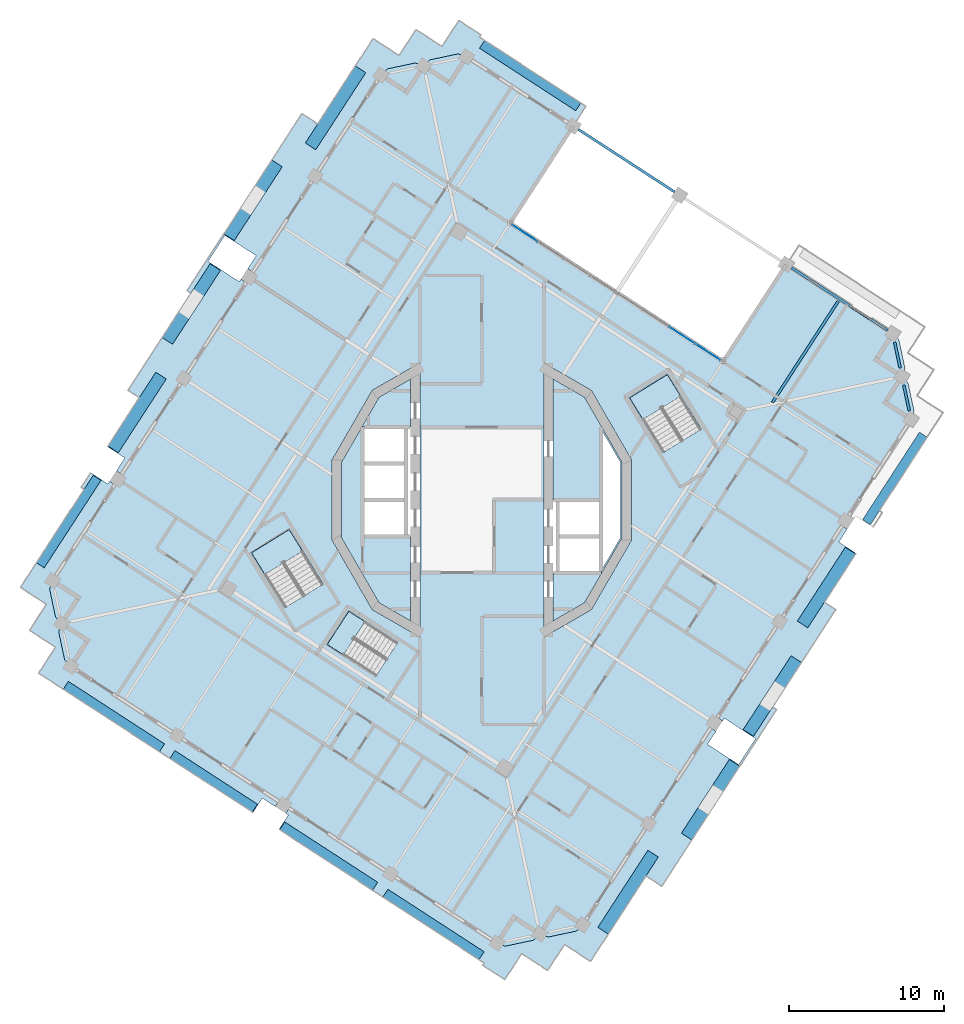
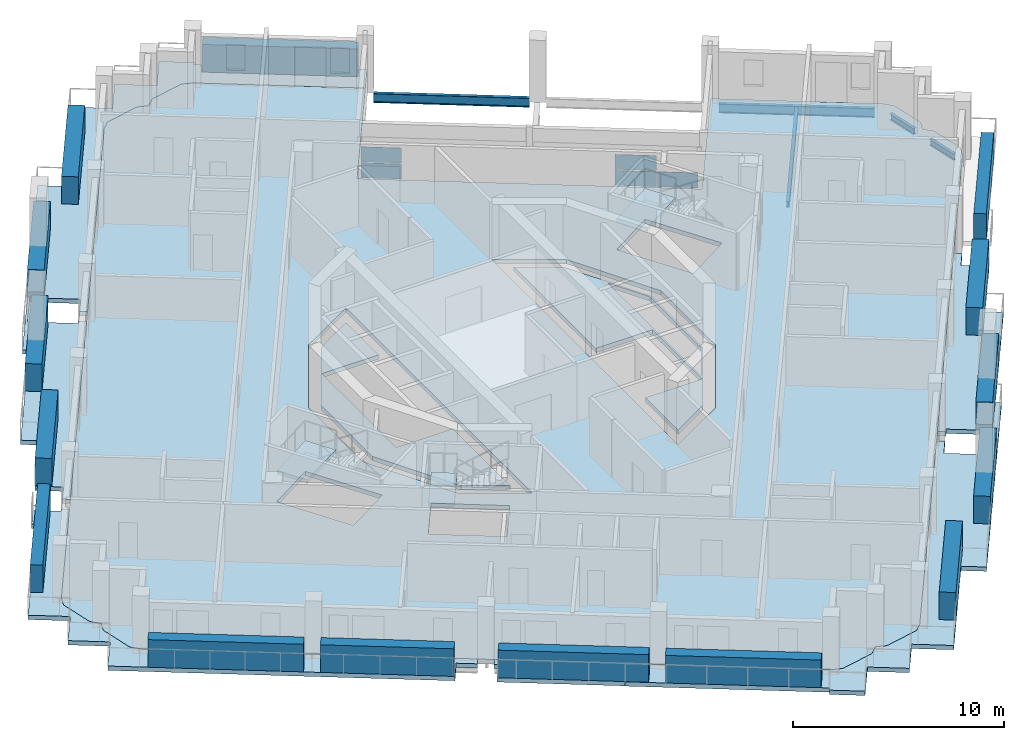
# One storey, part 4 of 17: 20 plates, 9 slabs, 5 beams, 4 elements without a shape of their own.
"""IFC4 building model written with IfcOpenShell, lengths in metres."""

from ifc_helpers import new_model, si_unit, direction, frame, origin, origin_2d, place, context, subcontext, project, spatial, polyline, rectangle, i_section, outline, extrude, material, layer, layer_set, material_profile, profile_set, type_object, element, aggregate, save


model = new_model("IFC4")

# Units and contexts
model_context = context("Model", 3, precision=1e-05, world=origin(), true_north=direction((0.0, 1.0)))
body_context = subcontext(model_context, "Body", "Model", "MODEL_VIEW")
ifc_project = project(units=[si_unit("LENGTHUNIT", "METRE"), si_unit("AREAUNIT", "SQUARE_METRE"), si_unit("VOLUMEUNIT", "CUBIC_METRE"), si_unit("PLANEANGLEUNIT", "RADIAN"), si_unit("MASSUNIT", "GRAM", prefix="KILO")], contexts=[model_context])

# Site, building, storey
site_placement = place(None, origin())
site = spatial("IfcSite", under=ifc_project, at=site_placement, CompositionType="ELEMENT")
building_placement = place(site_placement, origin())
building = spatial("IfcBuilding", under=site, at=building_placement, Name="Cantera Rosa Tower", CompositionType="ELEMENT")
storey_placement = place(building_placement, frame((0.0, 0.0, 275.699951171875)))
storey = spatial("IfcBuildingStorey", under=building, at=storey_placement, Name="L62", CompositionType="ELEMENT", Elevation=275.699951171875)

# Beams
ifc_material_1 = material(Name="Steel ASTM A992 (Fy 345 MPa)", Category="steel")
ifc_material_profile_1 = material_profile(ifc_material_1, i_section(OverallWidth=0.1708984375, OverallDepth=0.35595703125, WebThickness=0.00732421875, FlangeThickness=0.01171875, FilletRadius=0.010009765625, at=origin_2d()), Name="W360X51")
ifc_profile_set_1 = profile_set([ifc_material_profile_1], Name="Steel ASTM A992 (Fy 345 MPa)")
beam_type_1 = type_object("IfcBeamType", Name="STEEL JOIST W360X51", PredefinedType="JOIST", material=ifc_profile_set_1)
beam_placement = place(storey_placement, frame((23.005859375, 12.842041015625, -0.427978515625), z_axis=(-0.544641754757, -0.838668801718, 0.0), x_axis=(0.838668801718, -0.544641754757, 0.0)))
element("IfcBeam", 1, at=beam_placement, inside=storey, type_object=beam_type_1, Name="B-Z5-01 L62", PredefinedType="JOIST", context=body_context, shape_type="SweptSolid", body=[
    extrude(i_section(OverallWidth=0.1708984375, OverallDepth=0.35595703125, WebThickness=0.00732421875, FlangeThickness=0.01171875, FilletRadius=0.010009765625, at=origin_2d()), origin(), (0.0, 0.0, 1.0), 7.800048828125),
])
ifc_material_2 = material(Name="Steel ASTM A992 (Fy 345 MPa)", Category="steel")
ifc_material_profile_2 = material_profile(ifc_material_2, i_section(OverallWidth=0.1708984375, OverallDepth=0.35595703125, WebThickness=0.00732421875, FlangeThickness=0.01171875, FilletRadius=0.010009765625, at=origin_2d()), Name="W360X51")
ifc_profile_set_2 = profile_set([ifc_material_profile_2], Name="Steel ASTM A992 (Fy 345 MPa)")
beam_type_2 = type_object("IfcBeamType", Name="STEEL SPANDREL BEAM W360X51", PredefinedType="SPANDREL", material=ifc_profile_set_2)
for number, where, z_axis, x_axis, name in (
    (2, (27.58447265625, 5.7548828125, -0.427978515625), (-0.207888006632, 0.978152634663, 0.0), (-0.978152634663, -0.207888006632, 0.0), "EB-Z5-25 L62"),
    (3, (26.996337890625, 8.521484375, -0.427978515625), (-0.207888006632, 0.978152634663, 0.0), (-0.978152634663, -0.207888006632, 0.0), "EB-Z5-26 L62"),
):
    element("IfcBeam", number, at=place(storey_placement, frame(where, z_axis=z_axis, x_axis=x_axis)), inside=storey, type_object=beam_type_2, Name=name, PredefinedType="SPANDREL", context=body_context, shape_type="SweptSolid", body=[
        extrude(i_section(OverallWidth=0.1708984375, OverallDepth=0.35595703125, WebThickness=0.00732421875, FlangeThickness=0.01171875, FilletRadius=0.010009765625, at=origin_2d()), origin(), (0.0, 0.0, 1.0), 1.697021484375),
    ])
ifc_material_3 = material(Name="Steel ASTM A992 (Fy 345 MPa)", Category="steel")
ifc_material_profile_3 = material_profile(ifc_material_3, i_section(OverallWidth=0.166015625, OverallDepth=0.528076171875, WebThickness=0.009765625, FlangeThickness=0.013671875, FilletRadius=0.0126953125, at=origin_2d()), Name="W530X74")
ifc_profile_set_3 = profile_set([ifc_material_profile_3], Name="Steel ASTM A992 (Fy 345 MPa)")
beam_type_3 = type_object("IfcBeamType", Name="STEEL SPANDREL BEAM W530X74", PredefinedType="SPANDREL", material=ifc_profile_set_3)
for number, where, z_axis, x_axis, name in (
    (4, (26.1904296875, 10.95263671875, -0.513916015625), (-0.838669679097, 0.544640403719, 0.0), (-0.544640403719, -0.838669679097, 0.0), "EB-Z5-01 L62"),
    (5, (12.436279296875, 19.884765625, -0.513916015625), (-0.838669679097, 0.544640403719, 0.0), (-0.544640403719, -0.838669679097, 0.0), "EB-Z5-03 L62"),
):
    element("IfcBeam", number, at=place(storey_placement, frame(where, z_axis=z_axis, x_axis=x_axis)), inside=storey, type_object=beam_type_3, Name=name, PredefinedType="SPANDREL", context=body_context, shape_type="SweptSolid", body=[
        extrude(i_section(OverallWidth=0.166015625, OverallDepth=0.528076171875, WebThickness=0.009765625, FlangeThickness=0.013671875, FilletRadius=0.0126953125, at=origin_2d()), origin(), (0.0, 0.0, 1.0), 7.39990234375),
    ])

# Slabs
ifc_material_4 = material(Name="Concrete C35/45", Category="concrete")
ifc_layer_1 = layer(ifc_material_4, 0.25)
ifc_layer_set_1 = layer_set([ifc_layer_1], Name="COMPOSITE FLOOR SLAB 250 C35/45")
slab_type_1 = type_object("IfcSlabType", Name="COMPOSITE FLOOR SLAB 250 C35/45", PredefinedType="FLOOR", material=ifc_layer_set_1)
slab_1_placement = place(storey_placement, frame((0.0, 0.0, -0.25)))
element("IfcSlab", 6, at=slab_1_placement, inside=storey, type_object=slab_type_1, Name="SLAB L62 floor 1", PredefinedType="FLOOR", context=body_context, shape_type="SweptSolid", body=[
    extrude(outline(polyline([(-4.60009765625, -2.35009765625), (-4.60009765625, -7.804931640625), (-6.6318359375, -6.6318359375), (-9.059326171875, -2.427490234375), (-9.059326171875, 2.427490234375), (-6.6318359375, 6.6318359375), (-4.60009765625, 7.804931640625), (-4.60009765625, 4.699951171875), (-7.699951171875, 4.699951171875), (-7.699951171875, 2.35009765625), (-7.699951171875, 0.0), (-7.699951171875, -2.35009765625), (-4.60009765625, -2.35009765625)])), origin(), (0.0, 0.0, 1.0), 0.25),
])
slab_2_placement = place(storey_placement, frame((0.0, 0.0, -0.25)))
element("IfcSlab", 7, at=slab_2_placement, inside=storey, type_object=slab_type_1, Name="SLAB L62 floor 2", PredefinedType="FLOOR", context=body_context, shape_type="SweptSolid", body=[
    extrude(outline(polyline([(0.982421875, -28.598876953125), (0.106689453125, -28.030029296875), (-25.650146484375, -11.303466796875), (-26.52587890625, -10.734619140625), (-26.852783203125, -10.396240234375), (-26.873046875, -10.374755859375), (-26.890869140625, -10.351318359375), (-26.90625, -10.326416015625), (-26.919189453125, -10.2998046875), (-26.929443359375, -10.272216796875), (-26.93701171875, -10.243896484375), (-27.289794921875, -8.583740234375), (-27.294677734375, -8.5546875), (-27.29638671875, -8.525390625), (-27.29541015625, -8.49609375), (-27.29150390625, -8.466796875), (-27.28466796875, -8.43798828125), (-27.275146484375, -8.410400390625), (-27.114013671875, -7.968017578125), (-27.44091796875, -7.629638671875), (-27.461181640625, -7.608154296875), (-27.47900390625, -7.584716796875), (-27.494384765625, -7.559814453125), (-27.50732421875, -7.533203125), (-27.517578125, -7.505615234375), (-27.525146484375, -7.477294921875), (-27.8779296875, -5.817138671875), (-27.882568359375, -5.7880859375), (-27.884521484375, -5.7587890625), (-27.88330078125, -5.729248046875), (-27.87939453125, -5.7001953125), (-27.872802734375, -5.67138671875), (-27.863037109375, -5.643798828125), (-27.7021484375, -5.201416015625), (-27.13330078125, -4.32568359375), (-7.08447265625, 26.547119140625), (-6.515625, 27.4228515625), (-6.17724609375, 27.749755859375), (-6.15576171875, 27.769775390625), (-6.132080078125, 27.78759765625), (-6.107177734375, 27.802978515625), (-6.080810546875, 27.81591796875), (-6.05322265625, 27.826416015625), (-6.024658203125, 27.833740234375), (-4.36474609375, 28.186767578125), (-4.335693359375, 28.19140625), (-4.306396484375, 28.193115234375), (-4.27685546875, 28.192138671875), (-4.247802734375, 28.188232421875), (-4.218994140625, 28.181396484375), (-4.191162109375, 28.171875), (-3.7490234375, 28.0107421875), (-3.41064453125, 28.337890625), (-3.388916015625, 28.35791015625), (-3.365478515625, 28.375732421875), (-3.340576171875, 28.39111328125), (-3.314208984375, 28.404052734375), (-3.28662109375, 28.414306640625), (-3.258056640625, 28.421875), (-1.59814453125, 28.774658203125), (-1.569091796875, 28.779296875), (-1.539794921875, 28.78125), (-1.51025390625, 28.7802734375), (-1.481201171875, 28.7763671875), (-1.452392578125, 28.76953125), (-1.424560546875, 28.760009765625), (-0.982421875, 28.598876953125), (-0.106689453125, 28.030029296875), (5.894775390625, 24.1328125), (1.809814453125, 17.8427734375), (15.564208984375, 8.910888671875), (19.64892578125, 15.20068359375), (25.650146484375, 11.303466796875), (26.52587890625, 10.734619140625), (26.852783203125, 10.396240234375), (26.873046875, 10.374755859375), (26.890869140625, 10.351318359375), (26.90625, 10.326416015625), (26.919189453125, 10.2998046875), (26.929443359375, 10.272216796875), (26.93701171875, 10.243896484375), (27.289794921875, 8.583740234375), (27.294677734375, 8.5546875), (27.29638671875, 8.525390625), (27.29541015625, 8.49609375), (27.29150390625, 8.466796875), (27.28466796875, 8.43798828125), (27.275146484375, 8.410400390625), (27.114013671875, 7.968017578125), (27.44091796875, 7.629638671875), (27.461181640625, 7.608154296875), (27.47900390625, 7.584716796875), (27.494384765625, 7.559814453125), (27.50732421875, 7.533203125), (27.517578125, 7.505615234375), (27.525146484375, 7.477294921875), (27.8779296875, 5.817138671875), (27.882568359375, 5.7880859375), (27.884521484375, 5.7587890625), (27.88330078125, 5.729248046875), (27.87939453125, 5.7001953125), (27.872802734375, 5.67138671875), (27.863037109375, 5.643798828125), (27.7021484375, 5.201416015625), (27.13330078125, 4.32568359375), (7.08447265625, -26.547119140625), (6.515625, -27.4228515625), (6.17724609375, -27.749755859375), (6.15576171875, -27.769775390625), (6.132080078125, -27.78759765625), (6.107177734375, -27.802978515625), (6.080810546875, -27.81591796875), (6.05322265625, -27.826416015625), (6.024658203125, -27.833740234375), (4.36474609375, -28.186767578125), (4.335693359375, -28.19140625), (4.306396484375, -28.193115234375), (4.27685546875, -28.192138671875), (4.247802734375, -28.188232421875), (4.218994140625, -28.181396484375), (4.191162109375, -28.171875), (3.7490234375, -28.0107421875), (3.41064453125, -28.337890625), (3.388916015625, -28.35791015625), (3.365478515625, -28.375732421875), (3.340576171875, -28.39111328125), (3.314208984375, -28.404052734375), (3.28662109375, -28.414306640625), (3.258056640625, -28.421875), (1.59814453125, -28.774658203125), (1.569091796875, -28.779296875), (1.539794921875, -28.78125), (1.51025390625, -28.7802734375), (1.481201171875, -28.7763671875), (1.452392578125, -28.76953125), (1.424560546875, -28.760009765625), (0.982421875, -28.598876953125)]), holes=[polyline([(-8.581298828125, -7.1826171875), (-9.97021484375, -9.3212890625), (-6.835205078125, -11.357177734375), (-5.4462890625, -9.218505859375), (-8.581298828125, -7.1826171875)]), polyline([(-10.258544921875, -5.433349609375), (-12.430908203125, -1.911376953125), (-14.8564453125, -3.407470703125), (-12.68408203125, -6.929443359375), (-10.258544921875, -5.433349609375)]), polyline([(-9.6591796875, 2.588134765625), (-9.6591796875, -2.588134765625), (-7.071044921875, -7.071044921875), (-4.0, -8.843994140625), (-4.0, 8.843994140625), (-7.071044921875, 7.071044921875), (-9.6591796875, 2.588134765625)]), polyline([(7.071044921875, -7.071044921875), (9.6591796875, -2.588134765625), (9.6591796875, 2.588134765625), (7.071044921875, 7.071044921875), (4.0, 8.843994140625), (4.0, -8.843994140625), (7.071044921875, -7.071044921875)]), polyline([(14.1416015625, 4.566650390625), (11.96923828125, 8.088623046875), (9.54345703125, 6.592529296875), (11.7158203125, 3.070556640625), (14.1416015625, 4.566650390625)])]), origin(), (0.0, 0.0, 1.0), 0.25),
])
slab_3_placement = place(storey_placement, frame((0.0, 0.0, -0.25)))
element("IfcSlab", 8, at=slab_3_placement, inside=storey, type_object=slab_type_1, Name="SLAB L62 floor 3", PredefinedType="FLOOR", context=body_context, shape_type="SweptSolid", body=[
    extrude(outline(polyline([(7.699951171875, -2.35009765625), (7.699951171875, 0.0), (4.60009765625, 0.0), (4.60009765625, 7.804931640625), (6.6318359375, 6.6318359375), (9.059326171875, 2.427490234375), (9.059326171875, -2.427490234375), (6.6318359375, -6.6318359375), (4.60009765625, -7.804931640625), (4.60009765625, -4.699951171875), (7.699951171875, -4.699951171875), (7.699951171875, -2.35009765625)]), holes=[polyline([(7.800048828125, 2.449951171875), (7.800048828125, 2.25), (7.800048828125, -2.25), (7.800048828125, -2.449951171875), (7.800048828125, -4.408447265625), (8.959228515625, -2.400634765625), (8.959228515625, 2.400634765625), (7.800048828125, 4.408447265625), (7.800048828125, 2.449951171875)])]), origin(), (0.0, 0.0, 1.0), 0.25),
])

# Curtain wall, plates
ifc_material_5 = material(Name="Aluminium frame with clear glass", Category="aluminium")
curtain_wall_type = type_object("IfcCurtainWallType", Name="CW1 TERRACE POCKET GLAZING", PredefinedType="NOTDEFINED", material=ifc_material_5)
curtain_wall_placement = place(storey_placement, origin())
curtain_wall = element("IfcCurtainWall", 9, at=curtain_wall_placement, inside=storey, type_object=curtain_wall_type, Name="CW1 CW1", PredefinedType="NOTDEFINED")
ifc_material_6 = material(Name="Aluminium frame with clear glass", Category="aluminium")
ifc_layer_2 = layer(ifc_material_6, 0.028076171875)
ifc_layer_set_2 = layer_set([ifc_layer_2], Name="CW-PANEL POCKET")
plate_type_1 = type_object("IfcPlateType", Name="CW-PANEL POCKET", PredefinedType="CURTAIN_PANEL", material=ifc_layer_set_2)
plate_1_placement = place(storey_placement, frame((14.60009765625, 9.536865234375, 0.06005859375), z_axis=(0.0, 0.0, 1.0), x_axis=(-0.838670567974, 0.544639034971, 0.0)))
plate_1 = element("IfcPlate", 10, at=plate_1_placement, type_object=plate_type_1, Name="CW1 panel 1.1", PredefinedType="CURTAIN_PANEL", context=body_context, shape_type="SweptSolid", body=[
    extrude(rectangle(XDim=1.9287109375, YDim=0.028076171875, at=origin_2d()), origin(), (0.0, 0.0, 1.0), 0.865966796875),
])
plate_2_placement = place(storey_placement, frame((12.919677734375, 10.628173828125, 0.06005859375), z_axis=(0.0, 0.0, 1.0), x_axis=(-0.838670567974, 0.544639034971, 0.0)))
plate_2 = element("IfcPlate", 11, at=plate_2_placement, type_object=plate_type_1, Name="CW1 panel 2.1", PredefinedType="CURTAIN_PANEL", context=body_context, shape_type="SweptSolid", body=[
    extrude(rectangle(XDim=1.958740234375, YDim=0.028076171875, at=origin_2d()), origin(), (0.0, 0.0, 1.0), 0.865966796875),
])
plate_3_placement = place(storey_placement, frame((12.919677734375, 10.628173828125, 0.98583984375), z_axis=(0.0, 0.0, 1.0), x_axis=(-0.838670567974, 0.544639034971, 0.0)))
plate_3 = element("IfcPlate", 12, at=plate_3_placement, type_object=plate_type_1, Name="CW1 panel 2.2", PredefinedType="CURTAIN_PANEL", context=body_context, shape_type="SweptSolid", body=[
    extrude(rectangle(XDim=1.958740234375, YDim=0.028076171875, at=origin_2d()), origin(), (0.0, 0.0, 1.0), 0.865966796875),
])
plate_4_placement = place(storey_placement, frame((2.77392578125, 17.216796875, 0.06005859375), z_axis=(0.0, 0.0, 1.0), x_axis=(-0.838670567974, 0.544639034971, 0.0)))
plate_4 = element("IfcPlate", 13, at=plate_4_placement, type_object=plate_type_1, Name="CW1 panel 8.1", PredefinedType="CURTAIN_PANEL", context=body_context, shape_type="SweptSolid", body=[
    extrude(rectangle(XDim=1.9287109375, YDim=0.028076171875, at=origin_2d()), origin(), (0.0, 0.0, 1.0), 0.865966796875),
])
plate_5_placement = place(storey_placement, frame((2.77392578125, 17.216796875, 0.98583984375), z_axis=(0.0, 0.0, 1.0), x_axis=(-0.838670567974, 0.544639034971, 0.0)))
plate_5 = element("IfcPlate", 14, at=plate_5_placement, type_object=plate_type_1, Name="CW1 panel 8.2", PredefinedType="CURTAIN_PANEL", context=body_context, shape_type="SweptSolid", body=[
    extrude(rectangle(XDim=1.9287109375, YDim=0.028076171875, at=origin_2d()), origin(), (0.0, 0.0, 1.0), 0.865966796875),
])
aggregate(curtain_wall, [plate_1, plate_2, plate_3, plate_4, plate_5])

# Slabs
ifc_material_7 = material(Name="Concrete C35/45", Category="concrete")
ifc_layer_3 = layer(ifc_material_7, 0.25)
ifc_layer_set_3 = layer_set([ifc_layer_3], Name="LOGGIA SLAB 250 C35/45")
slab_type_2 = type_object("IfcSlabType", Name="LOGGIA SLAB 250 C35/45", PredefinedType="FLOOR", material=ifc_layer_set_3)
slab_4_placement = place(storey_placement, frame((0.0, 0.0, -0.25)))
element("IfcSlab", 15, at=slab_4_placement, inside=storey, type_object=slab_type_2, Name="LOGGIA SLAB L62 1", PredefinedType="FLOOR", context=body_context, shape_type="SweptSolid", body=[
    extrude(outline(polyline([(-21.723876953125, -15.641845703125), (-27.343017578125, -11.992919921875), (-28.600830078125, -11.17578125), (-27.783935546875, -9.917724609375), (-27.51171875, -9.49853515625), (-27.930908203125, -9.22607421875), (-29.18896484375, -8.4091796875), (-28.3720703125, -7.151123046875), (-28.099609375, -6.731689453125), (-28.51904296875, -6.45947265625), (-29.777099609375, -5.642578125), (-28.960205078125, -4.384521484375), (-25.66650390625, 0.68701171875), (-25.86181640625, 0.813720703125), (-25.244873046875, 1.763916015625), (-24.127197265625, 1.0380859375), (-24.01806640625, 1.205810546875), (-23.6826171875, 0.98779296875), (-27.13330078125, -4.32568359375), (-27.7021484375, -5.201416015625), (-27.863037109375, -5.643798828125), (-27.872802734375, -5.67138671875), (-27.87939453125, -5.7001953125), (-27.88330078125, -5.729248046875), (-27.884521484375, -5.7587890625), (-27.882568359375, -5.7880859375), (-27.8779296875, -5.817138671875), (-27.525146484375, -7.477294921875), (-27.517578125, -7.505615234375), (-27.50732421875, -7.533203125), (-27.494384765625, -7.559814453125), (-27.47900390625, -7.584716796875), (-27.461181640625, -7.608154296875), (-27.44091796875, -7.629638671875), (-27.114013671875, -7.968017578125), (-27.275146484375, -8.410400390625), (-27.28466796875, -8.43798828125), (-27.29150390625, -8.466796875), (-27.29541015625, -8.49609375), (-27.29638671875, -8.525390625), (-27.294677734375, -8.5546875), (-27.289794921875, -8.583740234375), (-26.93701171875, -10.243896484375), (-26.929443359375, -10.272216796875), (-26.919189453125, -10.2998046875), (-26.90625, -10.326416015625), (-26.890869140625, -10.351318359375), (-26.873046875, -10.374755859375), (-26.852783203125, -10.396240234375), (-26.52587890625, -10.734619140625), (-25.650146484375, -11.303466796875), (-13.107421875, -19.448974609375), (-13.3251953125, -19.784423828125), (-14.163818359375, -19.23974609375), (-14.762939453125, -20.162353515625), (-14.8466796875, -20.10791015625), (-19.207763671875, -17.275634765625), (-21.723876953125, -15.641845703125)])), origin(), (0.0, 0.0, 1.0), 0.25),
])
slab_5_placement = place(storey_placement, frame((0.0, 0.0, -0.25)))
element("IfcSlab", 16, at=slab_5_placement, inside=storey, type_object=slab_type_2, Name="LOGGIA SLAB L62 2", PredefinedType="FLOOR", context=body_context, shape_type="SweptSolid", body=[
    extrude(outline(polyline([(-18.7705078125, 13.3505859375), (-19.0244140625, 13.515625), (-11.6103515625, 24.931884765625), (-10.59033203125, 24.26953125), (-7.94140625, 28.3486328125), (-7.015380859375, 29.7744140625), (-5.58984375, 28.848388671875), (-5.338134765625, 28.68505859375), (-5.1748046875, 28.936767578125), (-4.248779296875, 30.362548828125), (-2.822998046875, 29.4365234375), (-2.571533203125, 29.273193359375), (-1.482421875, 30.950439453125), (-0.056396484375, 30.024658203125), (-0.155029296875, 29.873046875), (6.72216796875, 25.406982421875), (5.894775390625, 24.1328125), (-0.106689453125, 28.030029296875), (-0.982421875, 28.598876953125), (-1.424560546875, 28.760009765625), (-1.452392578125, 28.76953125), (-1.481201171875, 28.7763671875), (-1.51025390625, 28.7802734375), (-1.539794921875, 28.78125), (-1.569091796875, 28.779296875), (-1.59814453125, 28.774658203125), (-3.258056640625, 28.421875), (-3.28662109375, 28.414306640625), (-3.314208984375, 28.404052734375), (-3.340576171875, 28.39111328125), (-3.365478515625, 28.375732421875), (-3.388916015625, 28.35791015625), (-3.41064453125, 28.337890625), (-3.7490234375, 28.0107421875), (-4.191162109375, 28.171875), (-4.218994140625, 28.181396484375), (-4.247802734375, 28.188232421875), (-4.27685546875, 28.192138671875), (-4.306396484375, 28.193115234375), (-4.335693359375, 28.19140625), (-4.36474609375, 28.186767578125), (-6.024658203125, 27.833740234375), (-6.05322265625, 27.826416015625), (-6.080810546875, 27.81591796875), (-6.107177734375, 27.802978515625), (-6.132080078125, 27.78759765625), (-6.15576171875, 27.769775390625), (-6.17724609375, 27.749755859375), (-6.515625, 27.4228515625), (-7.08447265625, 26.547119140625), (-14.7724609375, 14.70849609375), (-15.10791015625, 14.926513671875), (-14.563232421875, 15.76513671875), (-16.575927734375, 17.072265625), (-17.665283203125, 15.39501953125), (-15.652587890625, 14.087646484375), (-15.543701171875, 14.255615234375), (-15.2080078125, 14.03759765625), (-23.2470703125, 1.65869140625), (-23.58251953125, 1.876708984375), (-23.037841796875, 2.71533203125), (-24.155517578125, 3.44140625), (-22.104248046875, 6.60009765625), (-22.8427734375, 7.079833984375), (-18.7705078125, 13.3505859375)])), origin(), (0.0, 0.0, 1.0), 0.25),
])
slab_6_placement = place(storey_placement, frame((0.0, 0.0, -0.25)))
element("IfcSlab", 17, at=slab_6_placement, inside=storey, type_object=slab_type_2, Name="LOGGIA SLAB L62 3", PredefinedType="FLOOR", context=body_context, shape_type="SweptSolid", body=[
    extrude(outline(polyline([(7.94140625, -28.3486328125), (7.015380859375, -29.7744140625), (5.58984375, -28.848388671875), (5.338134765625, -28.68505859375), (5.1748046875, -28.936767578125), (4.248779296875, -30.362548828125), (2.822998046875, -29.4365234375), (2.571533203125, -29.273193359375), (1.482421875, -30.950439453125), (0.056396484375, -30.024658203125), (0.155029296875, -29.873046875), (-7.996337890625, -24.57958984375), (-7.98583984375, -24.5634765625), (-12.330810546875, -21.74169921875), (-13.08544921875, -21.251708984375), (-12.486328125, -20.3291015625), (-12.654296875, -20.22021484375), (-12.436279296875, -19.884765625), (0.106689453125, -28.030029296875), (0.982421875, -28.598876953125), (1.424560546875, -28.760009765625), (1.452392578125, -28.76953125), (1.481201171875, -28.7763671875), (1.51025390625, -28.7802734375), (1.539794921875, -28.78125), (1.569091796875, -28.779296875), (1.59814453125, -28.774658203125), (3.258056640625, -28.421875), (3.28662109375, -28.414306640625), (3.314208984375, -28.404052734375), (3.340576171875, -28.39111328125), (3.365478515625, -28.375732421875), (3.388916015625, -28.35791015625), (3.41064453125, -28.337890625), (3.7490234375, -28.0107421875), (4.191162109375, -28.171875), (4.218994140625, -28.181396484375), (4.247802734375, -28.188232421875), (4.27685546875, -28.192138671875), (4.306396484375, -28.193115234375), (4.335693359375, -28.19140625), (4.36474609375, -28.186767578125), (6.024658203125, -27.833740234375), (6.05322265625, -27.826416015625), (6.080810546875, -27.81591796875), (6.107177734375, -27.802978515625), (6.132080078125, -27.78759765625), (6.15576171875, -27.769775390625), (6.17724609375, -27.749755859375), (6.515625, -27.4228515625), (7.08447265625, -26.547119140625), (14.7724609375, -14.70849609375), (15.10791015625, -14.926513671875), (14.563232421875, -15.76513671875), (16.575927734375, -17.072265625), (17.665283203125, -15.39501953125), (15.652587890625, -14.087646484375), (15.543701171875, -14.255615234375), (15.2080078125, -14.03759765625), (23.2470703125, -1.65869140625), (23.58251953125, -1.876708984375), (23.037841796875, -2.71533203125), (24.155517578125, -3.44140625), (22.104248046875, -6.60009765625), (22.8427734375, -7.079833984375), (18.7705078125, -13.3505859375), (19.0244140625, -13.515625), (11.6103515625, -24.931884765625), (10.59033203125, -24.26953125), (7.94140625, -28.3486328125)])), origin(), (0.0, 0.0, 1.0), 0.25),
])

# Plates
ifc_material_8 = material(Name="Cantera stone planter with soil", Category="masonry")
plate_type_2 = type_object("IfcPlateType", Name="PLANTER 600", PredefinedType="USERDEFINED", material=ifc_material_8)
plate_6_placement = place(storey_placement, frame((3.1201171875, 27.388427734375, 0.0), z_axis=(0.0, 0.0, 1.0), x_axis=(-0.838670567945, 0.544639035015, 0.0)))
element("IfcPlate", 18, at=plate_6_placement, inside=storey, type_object=plate_type_2, Name="PLANTER L62-04", ObjectType="PLANTER", PredefinedType="USERDEFINED", context=body_context, shape_type="SweptSolid", body=[
    extrude(rectangle(XDim=7.39990234375, YDim=0.60009765625, at=origin_2d()), origin(), (0.0, 0.0, 1.0), 1.60009765625),
])
plate_7_placement = place(storey_placement, frame((-26.657958984375, -1.390380859375, 0.0), z_axis=(0.0, 0.0, 1.0), x_axis=(-0.544639035015, -0.838670567945, 0.0)))
element("IfcPlate", 19, at=plate_7_placement, inside=storey, type_object=plate_type_2, Name="PLANTER L62-09", ObjectType="PLANTER", PredefinedType="USERDEFINED", context=body_context, shape_type="SweptSolid", body=[
    extrude(rectangle(XDim=6.72998046875, YDim=0.60009765625, at=origin_2d()), origin(), (0.0, 0.0, 1.0), 1.60009765625),
])
plate_8_placement = place(storey_placement, frame((-23.740966796875, -13.97412109375, 0.0), z_axis=(0.0, 0.0, 1.0), x_axis=(0.838670567945, -0.544639035015, 0.0)))
element("IfcPlate", 20, at=plate_8_placement, inside=storey, type_object=plate_type_2, Name="PLANTER L62-10", ObjectType="PLANTER", PredefinedType="USERDEFINED", context=body_context, shape_type="SweptSolid", body=[
    extrude(rectangle(XDim=7.39990234375, YDim=0.60009765625, at=origin_2d()), origin(), (0.0, 0.0, 1.0), 1.60009765625),
])
plate_9_placement = place(storey_placement, frame((-17.30419921875, -18.154296875, 0.0), z_axis=(0.0, 0.0, 1.0), x_axis=(0.838670567945, -0.544639035015, 0.0)))
element("IfcPlate", 21, at=plate_9_placement, inside=storey, type_object=plate_type_2, Name="PLANTER L62-11", ObjectType="PLANTER", PredefinedType="USERDEFINED", context=body_context, shape_type="SweptSolid", body=[
    extrude(rectangle(XDim=6.35009765625, YDim=0.60009765625, at=origin_2d()), origin(), (0.0, 0.0, 1.0), 1.60009765625),
])
plate_10_placement = place(storey_placement, frame((-9.882080078125, -22.974365234375, 0.0), z_axis=(0.0, 0.0, 1.0), x_axis=(0.838670567945, -0.544639035015, 0.0)))
element("IfcPlate", 22, at=plate_10_placement, inside=storey, type_object=plate_type_2, Name="PLANTER L62-12", ObjectType="PLANTER", PredefinedType="USERDEFINED", context=body_context, shape_type="SweptSolid", body=[
    extrude(rectangle(XDim=7.14990234375, YDim=0.60009765625, at=origin_2d()), origin(), (0.0, 0.0, 1.0), 1.60009765625),
])
plate_11_placement = place(storey_placement, frame((-3.1201171875, -27.388427734375, 0.0), z_axis=(0.0, 0.0, 1.0), x_axis=(0.838670567945, -0.544639035015, 0.0)))
element("IfcPlate", 23, at=plate_11_placement, inside=storey, type_object=plate_type_2, Name="PLANTER L62-13", ObjectType="PLANTER", PredefinedType="USERDEFINED", context=body_context, shape_type="SweptSolid", body=[
    extrude(rectangle(XDim=7.39990234375, YDim=0.60009765625, at=origin_2d()), origin(), (0.0, 0.0, 1.0), 1.60009765625),
])
plate_12_placement = place(storey_placement, frame((26.657958984375, 1.390380859375, 0.0), z_axis=(0.0, 0.0, 1.0), x_axis=(0.544639035015, 0.838670567945, 0.0)))
element("IfcPlate", 24, at=plate_12_placement, inside=storey, type_object=plate_type_2, Name="PLANTER L62-18", ObjectType="PLANTER", PredefinedType="USERDEFINED", context=body_context, shape_type="SweptSolid", body=[
    extrude(rectangle(XDim=6.72998046875, YDim=0.60009765625, at=origin_2d()), origin(), (0.0, 0.0, 1.0), 1.60009765625),
])
ifc_material_9 = material(Name="Cantera stone planter with soil", Category="masonry")
plate_type_3 = type_object("IfcPlateType", Name="PLANTER 800", PredefinedType="USERDEFINED", material=ifc_material_9)
plate_13_placement = place(storey_placement, frame((-9.438720703125, 25.30859375, 0.0), z_axis=(0.0, 0.0, 1.0), x_axis=(-0.544639035015, -0.838670567945, 0.0)))
element("IfcPlate", 25, at=plate_13_placement, inside=storey, type_object=plate_type_3, Name="PLANTER L62-05", ObjectType="PLANTER", PredefinedType="USERDEFINED", context=body_context, shape_type="SweptSolid", body=[
    extrude(rectangle(XDim=5.929931640625, YDim=0.800048828125, at=origin_2d()), origin(), (0.0, 0.0, 1.0), 1.60009765625),
])
for number, where, z_axis, x_axis, name in (
    (26, (-14.763916015625, 19.34130859375, 0.0), (0.0, 0.0, 1.0), (-0.544639035015, -0.838670567945, 0.0), "PLANTER L62-06"),
    (27, (-18.747314453125, 12.651611328125, 0.0), (0.0, 0.0, 1.0), (-0.544639035015, -0.838670567945, 0.0), "PLANTER L62-07"),
    (28, (-22.24609375, 5.647216796875, 0.0), (0.0, 0.0, 1.0), (-0.544639035015, -0.838670567945, 0.0), "PLANTER L62-08"),
):
    element("IfcPlate", number, at=place(storey_placement, frame(where, z_axis=z_axis, x_axis=x_axis)), inside=storey, type_object=plate_type_3, Name=name, ObjectType="PLANTER", PredefinedType="USERDEFINED", context=body_context, shape_type="SweptSolid", body=[
        extrude(rectangle(XDim=5.679931640625, YDim=0.800048828125, at=origin_2d()), origin(), (0.0, 0.0, 1.0), 1.60009765625),
    ])
plate_14_placement = place(storey_placement, frame((9.438720703125, -25.30859375, 0.0), z_axis=(0.0, 0.0, 1.0), x_axis=(0.544639035015, 0.838670567945, 0.0)))
element("IfcPlate", 29, at=plate_14_placement, inside=storey, type_object=plate_type_3, Name="PLANTER L62-14", ObjectType="PLANTER", PredefinedType="USERDEFINED", context=body_context, shape_type="SweptSolid", body=[
    extrude(rectangle(XDim=5.929931640625, YDim=0.800048828125, at=origin_2d()), origin(), (0.0, 0.0, 1.0), 1.60009765625),
])
for number, where, z_axis, x_axis, name in (
    (30, (14.763916015625, -19.34130859375, 0.0), (0.0, 0.0, 1.0), (0.544639035015, 0.838670567945, 0.0), "PLANTER L62-15"),
    (31, (18.747314453125, -12.651611328125, 0.0), (0.0, 0.0, 1.0), (0.544639035015, 0.838670567945, 0.0), "PLANTER L62-16"),
    (32, (22.24609375, -5.647216796875, 0.0), (0.0, 0.0, 1.0), (0.544639035015, 0.838670567945, 0.0), "PLANTER L62-17"),
):
    element("IfcPlate", number, at=place(storey_placement, frame(where, z_axis=z_axis, x_axis=x_axis)), inside=storey, type_object=plate_type_3, Name=name, ObjectType="PLANTER", PredefinedType="USERDEFINED", context=body_context, shape_type="SweptSolid", body=[
        extrude(rectangle(XDim=5.679931640625, YDim=0.800048828125, at=origin_2d()), origin(), (0.0, 0.0, 1.0), 1.60009765625),
    ])

# Stair, slab
ifc_material_10 = material(Name="Concrete C35/45", Category="concrete")
stair_type_1 = type_object("IfcStairType", Name="EXIT STAIR 1350 DOGLEG", PredefinedType="HALF_TURN_STAIR", material=ifc_material_10)
stair_1_placement = place(storey_placement, origin())
stair_1 = element("IfcStair", 33, at=stair_1_placement, inside=storey, type_object=stair_type_1, Name="L62 ST-51", PredefinedType="HALF_TURN_STAIR")
ifc_material_11 = material(Name="Concrete C35/45", Category="concrete")
ifc_layer_4 = layer(ifc_material_11, 0.199951171875)
ifc_layer_set_4 = layer_set([ifc_layer_4], Name="STAIR LANDING 200")
slab_type_3 = type_object("IfcSlabType", Name="STAIR LANDING 200", PredefinedType="LANDING", material=ifc_layer_set_4)
slab_7_placement = place(storey_placement, frame((0.0, 0.0, 1.60009765625)))
slab_7 = element("IfcSlab", 34, at=slab_7_placement, type_object=slab_type_3, Name="ST-51 landing 1", PredefinedType="LANDING", context=body_context, shape_type="SweptSolid", body=[
    extrude(outline(polyline([(12.8310546875, 6.691162109375), (11.96923828125, 8.088623046875), (9.54345703125, 6.592529296875), (10.405517578125, 5.19482421875), (12.8310546875, 6.691162109375)])), origin(), (0.0, 0.0, 1.0), 0.199951171875),
])
aggregate(stair_1, [slab_7])

stair_2_placement = place(storey_placement, origin())
stair_2 = element("IfcStair", 35, at=stair_2_placement, inside=storey, type_object=stair_type_1, Name="L62 ST-52", PredefinedType="HALF_TURN_STAIR")
slab_8_placement = place(storey_placement, frame((0.0, 0.0, 1.60009765625)))
slab_8 = element("IfcSlab", 36, at=slab_8_placement, type_object=slab_type_3, Name="ST-52 landing 1", PredefinedType="LANDING", context=body_context, shape_type="SweptSolid", body=[
    extrude(outline(polyline([(-11.56884765625, -3.308837890625), (-12.430908203125, -1.911376953125), (-14.8564453125, -3.407470703125), (-13.99462890625, -4.80517578125), (-11.56884765625, -3.308837890625)])), origin(), (0.0, 0.0, 1.0), 0.199951171875),
])
aggregate(stair_2, [slab_8])

ifc_material_12 = material(Name="Concrete C35/45", Category="concrete")
stair_type_2 = type_object("IfcStairType", Name="EXIT STAIR 1200 DOGLEG", PredefinedType="HALF_TURN_STAIR", material=ifc_material_12)
stair_3_placement = place(storey_placement, origin())
stair_3 = element("IfcStair", 37, at=stair_3_placement, inside=storey, type_object=stair_type_2, Name="L62 ST-53", PredefinedType="HALF_TURN_STAIR")
slab_9_placement = place(storey_placement, frame((0.0, 0.0, 1.60009765625)))
slab_9 = element("IfcSlab", 38, at=slab_9_placement, type_object=slab_type_3, Name="ST-53 landing 1", PredefinedType="LANDING", context=body_context, shape_type="SweptSolid", body=[
    extrude(outline(polyline([(-7.53955078125, -7.859130859375), (-8.581298828125, -7.1826171875), (-9.97021484375, -9.3212890625), (-8.928466796875, -9.997802734375), (-7.53955078125, -7.859130859375)])), origin(), (0.0, 0.0, 1.0), 0.199951171875),
])
aggregate(stair_3, [slab_9])

save(model, "model.ifc")
